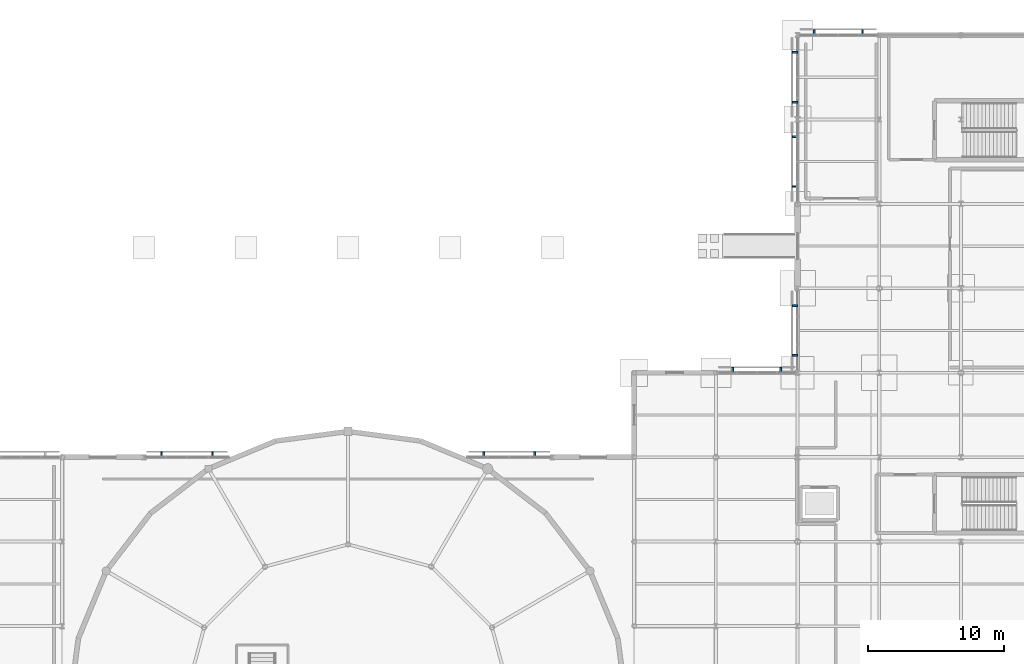
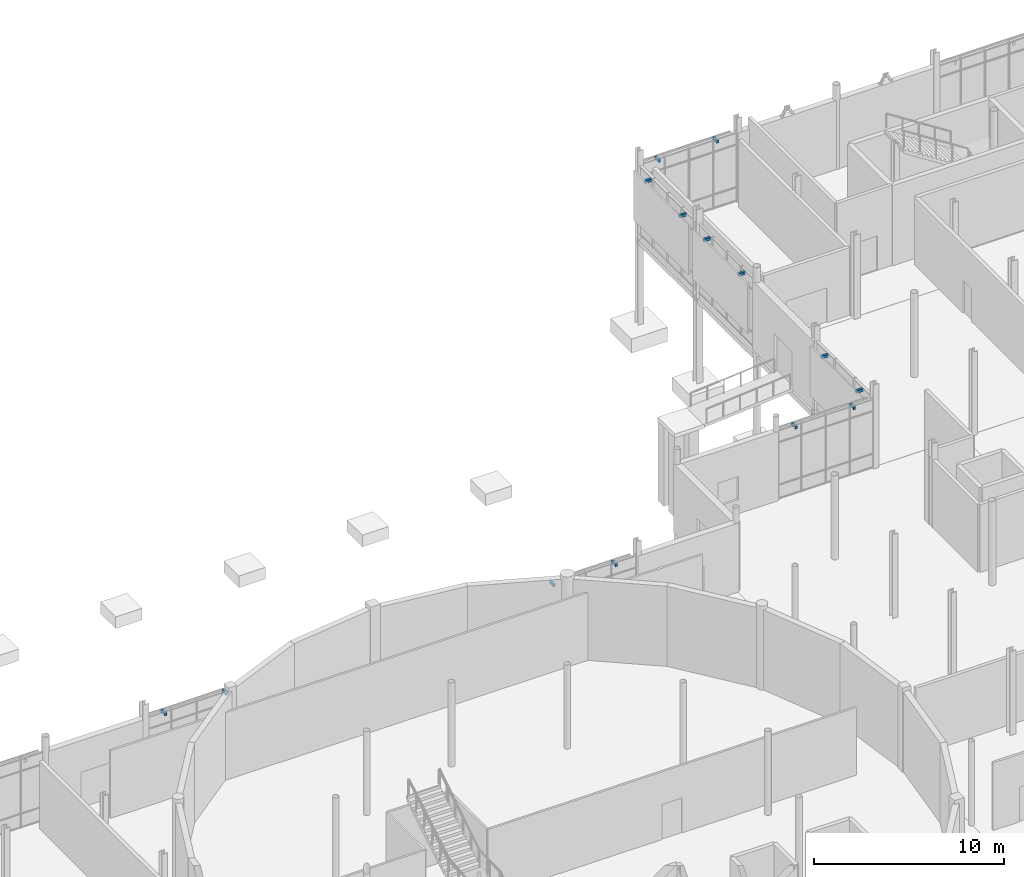
# One storey, part 81 of 98: 14 discrete accessories.
"""IFC4 building model written with IfcOpenShell, lengths in metres."""

from ifc_helpers import new_model, si_unit, direction, frame, origin, origin_2d, place, context, subcontext, project, spatial, rectangle, extrude, material, type_object, element, save


model = new_model("IFC4")

# Units and contexts
model_context = context("Model", 3, precision=1e-05, world=origin(), true_north=direction((0.0, 1.0)))
body_context = subcontext(model_context, "Body", "Model", "MODEL_VIEW")
ifc_project = project(units=[si_unit("LENGTHUNIT", "METRE"), si_unit("AREAUNIT", "SQUARE_METRE"), si_unit("VOLUMEUNIT", "CUBIC_METRE"), si_unit("PLANEANGLEUNIT", "RADIAN"), si_unit("MASSUNIT", "GRAM", prefix="KILO")], contexts=[model_context])

# Site, building, storey
site_placement = place(None, origin())
site = spatial("IfcSite", under=ifc_project, at=site_placement, CompositionType="ELEMENT")
building_placement = place(site_placement, origin())
building = spatial("IfcBuilding", under=site, at=building_placement, Name="Mirzam Square Science Centre", CompositionType="ELEMENT")
storey_placement = place(building_placement, origin())
storey = spatial("IfcBuildingStorey", under=building, at=storey_placement, Name="L00", CompositionType="ELEMENT", Elevation=0.0)

# Discrete accessories
ifc_material = material(Name="Steel S355", Category="steel")
discrete_accessory_type = type_object("IfcDiscreteAccessoryType", Name="BRK-BRISE-STEEL", PredefinedType="BRACKET", material=ifc_material)
for number, where, z_axis, x_axis, name in (
    (1, (71.047119140625, 80.7900390625, 4.10009765625), (0.0, 0.0, 1.0), (-1.0, 0.0, 0.0), "L00 brise-soleil support bracket 40"),
    (2, (67.302978515625, 80.7900390625, 4.10009765625), (0.0, 0.0, 1.0), (-1.0, 0.0, 0.0), "L00 brise-soleil support bracket 40"),
    (3, (94.697021484375, 80.7900390625, 4.10009765625), (0.0, 0.0, 1.0), (-1.0, 0.0, 0.0), "L00 brise-soleil support bracket 41"),
    (4, (90.952880859375, 80.7900390625, 4.10009765625), (0.0, 0.0, 1.0), (-1.0, 0.0, 0.0), "L00 brise-soleil support bracket 41"),
    (5, (112.76708984375, 86.989990234375, 4.10009765625), (0.0, 0.0, 1.0), (-1.0, 0.0, 0.0), "L00 brise-soleil support bracket 61"),
    (6, (109.23291015625, 86.989990234375, 4.10009765625), (0.0, 0.0, 1.0), (-1.0, 0.0, 0.0), "L00 brise-soleil support bracket 61"),
    (7, (118.76708984375, 111.7900390625, 4.10009765625), (0.0, 0.0, 1.0), (-1.0, 0.0, 0.0), "L00 brise-soleil support bracket 63"),
    (8, (115.23291015625, 111.7900390625, 4.10009765625), (0.0, 0.0, 1.0), (-1.0, 0.0, 0.0), "L00 brise-soleil support bracket 63"),
    (9, (113.81005859375, 91.72705078125, 4.10009765625), (0.0, 0.0, 1.0), (0.0, -1.0, 0.0), "L00 brise-soleil support bracket 65"),
    (10, (113.81005859375, 88.072998046875, 4.10009765625), (0.0, 0.0, 1.0), (0.0, -1.0, 0.0), "L00 brise-soleil support bracket 65"),
    (11, (113.81005859375, 104.126953125, 4.10009765625), (0.0, 0.0, 1.0), (0.0, -1.0, 0.0), "L00 brise-soleil support bracket 68"),
    (12, (113.81005859375, 100.472900390625, 4.10009765625), (0.0, 0.0, 1.0), (0.0, -1.0, 0.0), "L00 brise-soleil support bracket 68"),
    (13, (113.81005859375, 110.326904296875, 4.10009765625), (0.0, 0.0, 1.0), (0.0, -1.0, 0.0), "L00 brise-soleil support bracket 70"),
    (14, (113.81005859375, 106.673095703125, 4.10009765625), (0.0, 0.0, 1.0), (0.0, -1.0, 0.0), "L00 brise-soleil support bracket 70"),
):
    element("IfcDiscreteAccessory", number, at=place(storey_placement, frame(where, z_axis=z_axis, x_axis=x_axis)), inside=storey, type_object=discrete_accessory_type, Name=name, PredefinedType="BRACKET", context=body_context, shape_type="SweptSolid", body=[
        extrude(rectangle(XDim=0.139892578125, YDim=0.419921875, at=origin_2d()), origin(), (0.0, 0.0, 1.0), 0.179931640625),
    ])

save(model, "model.ifc")
